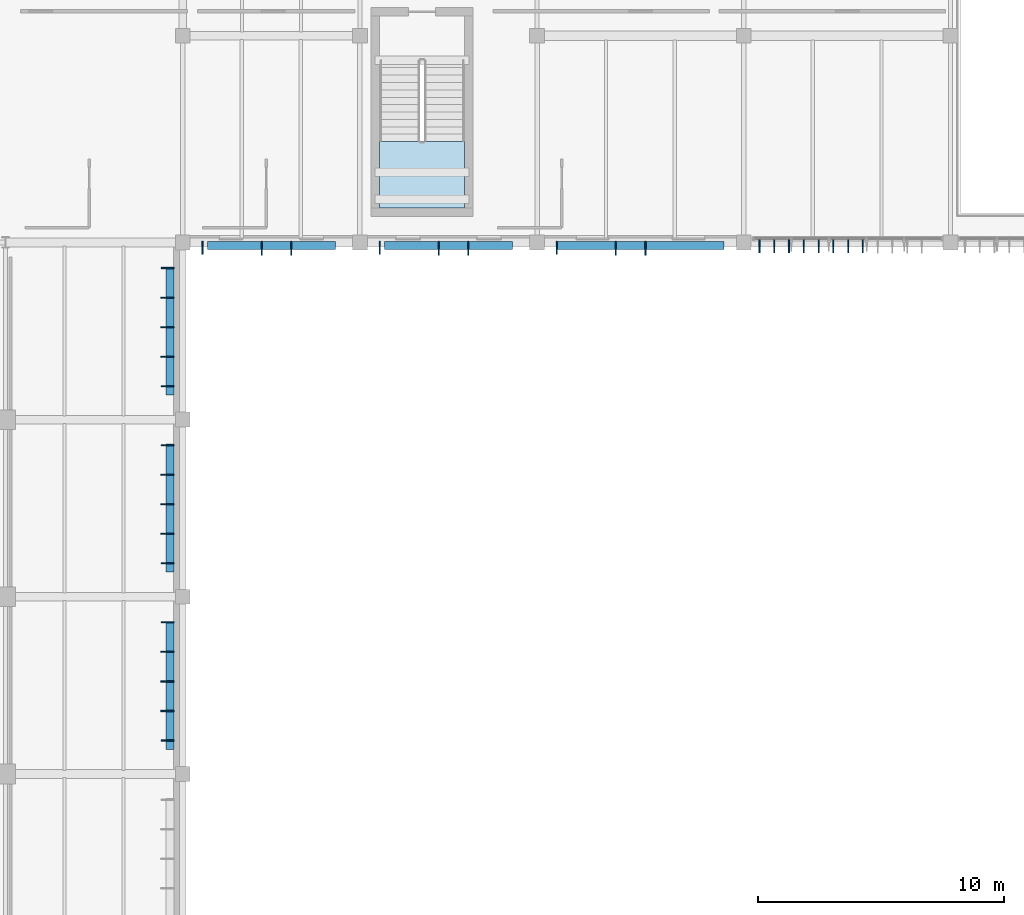
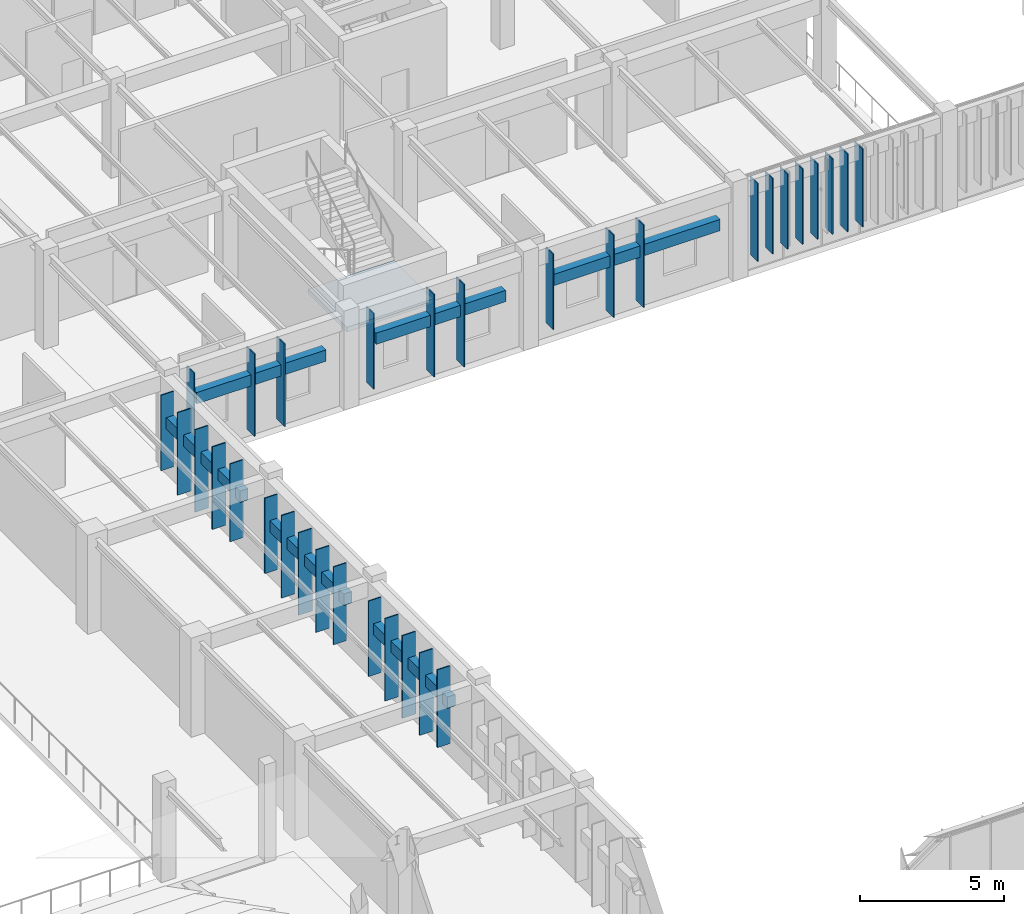
# One storey, part 27 of 122: 38 plates, 1 slab, 1 element without a shape of its own.
"""IFC4 building model written with IfcOpenShell, lengths in metres."""

import ifcopenshell
import ifcopenshell.guid

model = None  # the IFC model being written
_history = None  # IfcOwnerHistory: only IFC2X3 demands one
_inside = {}  # id of a spatial element -> (the spatial element, [elements in it])
_under = {}  # id of a project, library or spatial element -> (it, [spatial elements below it])
_declared = {}  # id of a project -> (the project, [libraries it declares])
_typed = {}  # id of a type object -> (the type object, [elements of that type])
_made_of = {}  # id of a material, layer set ... -> (it, [elements and type objects made of it])


def new_model(schema):
    """Start an empty IFC model of exactly this schema.

    Asked for "IFC4X3", IfcOpenShell would pick the latest addendum, in which some entities
    have other attributes; the version numbers below select the first issue.
    IFC2X3 requires an IfcOwnerHistory on every rooted entity: one is made here for all.
    """
    global model, _history
    if schema == "IFC4X3":
        model = ifcopenshell.file(schema_version=(4, 3, 0, 0))
    else:
        model = ifcopenshell.file(schema=schema)
    _inside.clear()
    _under.clear()
    _declared.clear()
    _typed.clear()
    _made_of.clear()
    _history = None
    if model.schema == "IFC2X3":
        org = make("IfcOrganization", Name="unknown")
        user = make(
            "IfcPersonAndOrganization",
            ThePerson=make("IfcPerson", FamilyName="unknown"),
            TheOrganization=org,
        )
        app = make(
            "IfcApplication",
            ApplicationDeveloper=org,
            Version="unknown",
            ApplicationFullName="unknown",
            ApplicationIdentifier="unknown",
        )
        _history = make(
            "IfcOwnerHistory",
            OwningUser=user,
            OwningApplication=app,
            ChangeAction="ADDED",
            CreationDate=0,
        )
    return model


def make(cls, **values):
    """One entity of the class cls with the attributes given. An attribute that is None is left unset."""
    return model.create_entity(
        cls, **{name: value for name, value in values.items() if value is not None}
    )


def rooted(cls, **values):
    """An entity with a GlobalId (a new one), such as an element, a storey or a relation."""
    return make(cls, GlobalId=ifcopenshell.guid.new(), OwnerHistory=_history, **values)


def si_unit(unit_type, name, prefix=None):
    """IfcSIUnit, for example si_unit("LENGTHUNIT", "METRE", prefix="MILLI")."""
    return make("IfcSIUnit", UnitType=unit_type, Prefix=prefix, Name=name)


def assignment(units):
    """IfcUnitAssignment: the units of a project."""
    return None if units is None else make("IfcUnitAssignment", Units=units)


def point(xyz):
    """IfcCartesianPoint."""
    return None if xyz is None else make("IfcCartesianPoint", Coordinates=xyz)


def direction(xyz):
    """IfcDirection."""
    return None if xyz is None else make("IfcDirection", DirectionRatios=xyz)


def frame(location, z_axis=None, x_axis=None):
    """IfcAxis2Placement3D, a coordinate frame: its origin and axes. An axis left out is left unset."""
    return make(
        "IfcAxis2Placement3D",
        Location=point(location),
        Axis=direction(z_axis),
        RefDirection=direction(x_axis),
    )


def frame_2d(location, x_axis=None):
    """IfcAxis2Placement2D, a coordinate frame in the plane: its origin and x axis."""
    return make(
        "IfcAxis2Placement2D", Location=point(location), RefDirection=direction(x_axis)
    )


def origin():
    """The frame at (0, 0, 0) with its axes left unset."""
    return frame((0.0, 0.0, 0.0))


def origin_2d():
    """The frame at (0, 0) in the plane with its x axis left unset."""
    return frame_2d((0.0, 0.0))


def place(relative_to, where):
    """IfcLocalPlacement: puts the frame where relative to a parent placement (None: the world)."""
    return make(
        "IfcLocalPlacement", PlacementRelTo=relative_to, RelativePlacement=where
    )


def context(
    kind, dimensions, precision=None, world=None, true_north=None, identifier=None
):
    """IfcGeometricRepresentationContext, for example the 3D "Model" context."""
    return make(
        "IfcGeometricRepresentationContext",
        ContextIdentifier=identifier,
        ContextType=kind,
        CoordinateSpaceDimension=dimensions,
        Precision=precision,
        WorldCoordinateSystem=world,
        TrueNorth=true_north,
    )


def subcontext(parent, identifier, kind, view, scale=None):
    """IfcGeometricRepresentationSubContext, for example "Body" below "Model"."""
    return make(
        "IfcGeometricRepresentationSubContext",
        ContextIdentifier=identifier,
        ContextType=kind,
        ParentContext=parent,
        TargetScale=scale,
        TargetView=view,
    )


def project(units=None, contexts=None):
    """IfcProject with its units and contexts."""
    return rooted(
        "IfcProject",
        Name="project",
        RepresentationContexts=contexts,
        UnitsInContext=assignment(units),
    )


def spatial(cls, under=None, at=None, **own):
    """A site, building, storey or space (cls), placed at a placement, below another one or the project."""
    s = rooted(cls, ObjectPlacement=at, **own)
    if under is not None:
        _under.setdefault(under.id(), (under, []))[1].append(s)
    return s


def polyline(points):
    """IfcPolyline through the points."""
    return make("IfcPolyline", Points=[point(p) for p in points])


def profile(cls, at=None, kind="AREA", **sizes):
    """A parametric profile (cls). Its sizes go by their IFC names, for example OverallWidth=200.0."""
    return make(cls, ProfileType=kind, Position=at, **sizes)


def rectangle(**sizes):
    """IfcRectangleProfileDef."""
    return profile("IfcRectangleProfileDef", **sizes)


def outline(outer, holes=None, kind="AREA"):
    """IfcArbitraryClosedProfileDef: a profile drawn as a closed curve; with holes, ...WithVoids."""
    if holes is None:
        return make("IfcArbitraryClosedProfileDef", ProfileType=kind, OuterCurve=outer)
    return make(
        "IfcArbitraryProfileDefWithVoids",
        ProfileType=kind,
        OuterCurve=outer,
        InnerCurves=holes,
    )


def extrude(swept, where, along, depth):
    """IfcExtrudedAreaSolid: the profile swept, set in the frame where, extruded along a direction by depth."""
    return make(
        "IfcExtrudedAreaSolid",
        SweptArea=swept,
        Position=where,
        ExtrudedDirection=direction(along),
        Depth=depth,
    )


def shape(context_of_items, identifier, shape_type, items):
    """IfcShapeRepresentation: the items that make up one representation, for example the "Body"."""
    return make(
        "IfcShapeRepresentation",
        ContextOfItems=context_of_items,
        RepresentationIdentifier=identifier,
        RepresentationType=shape_type,
        Items=items,
    )


def material(Name=None, Category=None):
    """IfcMaterial."""
    return make("IfcMaterial", Name=Name, Category=Category)


def layer(
    of_material, thickness, ventilated=None, Name=None, Category=None, Priority=None
):
    """IfcMaterialLayer: one layer of a wall or slab, of a material (None: an air gap)."""
    return make(
        "IfcMaterialLayer",
        Material=of_material,
        LayerThickness=thickness,
        IsVentilated=ventilated,
        Name=Name,
        Category=Category,
        Priority=Priority,
    )


def layer_set(layers, Name=None):
    """IfcMaterialLayerSet."""
    return make("IfcMaterialLayerSet", MaterialLayers=layers, LayerSetName=Name)


def made_of(thing, what):
    """Note that an element or type object is made of a material, layer set ...; save() writes the relation."""
    if what is not None:
        _made_of.setdefault(what.id(), (what, []))[1].append(thing)
    return thing


def type_object(cls, material=None, **own):
    """A type object (cls), such as IfcWallType, which elements share."""
    return made_of(rooted(cls, **own), material)


def element(
    cls,
    number,
    at=None,
    inside=None,
    cuts=None,
    type_object=None,
    material=None,
    context=None,
    identifier="Body",
    shape_type=None,
    held_by="IfcProductDefinitionShape",
    body=None,
    shapes=None,
    **own,
):
    """One element of the class cls, such as IfcWall. Its Tag is "e" and its number.

    at: its placement. inside: the storey or other place that contains it. cuts: it is an
    opening in that element (IfcRelVoidsElement). A single representation is given by context,
    identifier, shape_type and body (its items); several are given by shapes. held_by: the class
    of the entity that holds the representations. save() writes the other relations.
    """
    e = rooted(cls, Tag="e%d" % number, ObjectPlacement=at, **own)
    if body is not None:
        shapes = [shape(context, identifier, shape_type, body)]
    if shapes is not None:
        e.Representation = make(held_by, Representations=shapes)
    if inside is not None:
        _inside.setdefault(inside.id(), (inside, []))[1].append(e)
    if cuts is not None:
        rooted(
            "IfcRelVoidsElement", RelatingBuildingElement=cuts, RelatedOpeningElement=e
        )
    if type_object is not None:
        _typed.setdefault(type_object.id(), (type_object, []))[1].append(e)
    return made_of(e, material)


def aggregate(whole, parts):
    """IfcRelAggregates: a whole, such as a stair, and the parts it consists of."""
    return rooted("IfcRelAggregates", RelatingObject=whole, RelatedObjects=parts)


def save(model, path):
    """Write the relations noted so far, then the file.

    IfcRelAggregates (storeys below a building ...), IfcRelContainedInSpatialStructure (elements
    in a storey), IfcRelDefinesByType, IfcRelAssociatesMaterial and IfcRelDeclares: one each for
    every whole, place, type object, material and project.
    """
    for whole, parts in _under.values():
        aggregate(whole, parts)
    for where, things in _inside.values():
        rooted(
            "IfcRelContainedInSpatialStructure",
            RelatedElements=things,
            RelatingStructure=where,
        )
    for kind, things in _typed.values():
        rooted("IfcRelDefinesByType", RelatedObjects=things, RelatingType=kind)
    for what, things in _made_of.values():
        rooted("IfcRelAssociatesMaterial", RelatedObjects=things, RelatingMaterial=what)
    for by, libraries in _declared.values():
        rooted("IfcRelDeclares", RelatingContext=by, RelatedDefinitions=libraries)
    model.write(path)


model = new_model("IFC4")

# Units and contexts
model_context = context("Model", 3, precision=1e-05, world=origin(), true_north=direction((0.0, 1.0)))
body_context = subcontext(model_context, "Body", "Model", "MODEL_VIEW")
ifc_project = project(units=[si_unit("LENGTHUNIT", "METRE"), si_unit("AREAUNIT", "SQUARE_METRE"), si_unit("VOLUMEUNIT", "CUBIC_METRE"), si_unit("PLANEANGLEUNIT", "RADIAN"), si_unit("MASSUNIT", "GRAM", prefix="KILO")], contexts=[model_context])

# Site, building, storey
site_placement = place(None, origin())
site = spatial("IfcSite", under=ifc_project, at=site_placement, CompositionType="ELEMENT")
building_placement = place(site_placement, origin())
building = spatial("IfcBuilding", under=site, at=building_placement, Name="Tazoul Stagehouse", CompositionType="ELEMENT")
storey_placement = place(building_placement, frame((0.0, 0.0, 4.800048828125)))
storey = spatial("IfcBuildingStorey", under=building, at=storey_placement, Name="L01", CompositionType="ELEMENT", Elevation=4.800048828125)

# Stair, slab
ifc_material_1 = material(Name="Concrete C40/50", Category="concrete")
stair_type = type_object("IfcStairType", Name="Protected Core Dogleg Stair 4800", PredefinedType="HALF_TURN_STAIR", material=ifc_material_1)
stair_placement = place(storey_placement, origin())
stair = element("IfcStair", 1, at=stair_placement, inside=storey, type_object=stair_type, Name="L01 Core Escape Stair ST-04", PredefinedType="HALF_TURN_STAIR")
ifc_layer_1 = layer(ifc_material_1, 0.179931640625, Name="Concrete C40/50")
ifc_layer_set_1 = layer_set([ifc_layer_1], Name="Concrete C40/50")
slab_type = type_object("IfcSlabType", Name="Core Half-Landing Slab 180", PredefinedType="LANDING", material=ifc_layer_set_1)
slab_placement = place(storey_placement, frame((0.0, 0.0, 1.89990234375)))
slab = element("IfcSlab", 2, at=slab_placement, type_object=slab_type, Name="ST-04 landing 1", PredefinedType="LANDING", context=body_context, shape_type="SweptSolid", body=[
    extrude(outline(polyline([(110.60009765625, 91.89990234375), (110.60009765625, 89.199951171875), (114.050048828125, 89.199951171875), (114.050048828125, 91.89990234375), (110.60009765625, 91.89990234375)])), origin(), (0.0, 0.0, 1.0), 0.199951171875),
])
aggregate(stair, [slab])

# Plates
ifc_material_2 = material(Name="Anodised Bronze Aluminium 6063-T6", Category="aluminium")
ifc_layer_2 = layer(ifc_material_2, 0.52001953125, Name="Anodised Bronze Aluminium 6063-T6")
ifc_layer_set_2 = layer_set([ifc_layer_2], Name="Anodised Bronze Aluminium 6063-T6")
plate_type_1 = type_object("IfcPlateType", Name="Parametric Terracotta-Bronze Solar Fin 520x3200", PredefinedType="USERDEFINED", material=ifc_layer_set_2)
for number, where, z_axis, x_axis, name in (
    (3, (101.989990234375, 86.760009765625, 0.6201171875), (0.0, 0.0, 1.0), (0.0, -1.0, 0.0), "L01 Parametric Solar Fin SFN-18 (WALL-V1-E-L01-S1-B1-01)"),
    (4, (101.989990234375, 79.56005859375, 0.6201171875), (0.0, 0.0, 1.0), (0.0, -1.0, 0.0), "L01 Parametric Solar Fin SFN-18 (WALL-V1-E-L01-S1-B2-01)"),
    (5, (101.989990234375, 72.360107421875, 0.6201171875), (0.0, 0.0, 1.0), (0.0, -1.0, 0.0), "L01 Parametric Solar Fin SFN-18 (WALL-V1-E-L01-S1-B3-01)"),
    (6, (103.405029296875, 87.580078125, 0.6201171875), (0.0, 0.0, 1.0), (1.0, 0.0, 0.0), "L01 Parametric Solar Fin SFN-18 (WALL-V3-S1-L01-S1-01)"),
    (7, (110.60498046875, 87.580078125, 0.6201171875), (0.0, 0.0, 1.0), (1.0, 0.0, 0.0), "L01 Parametric Solar Fin SFN-18 (WALL-V3-S1-L01-S2-01)"),
    (8, (117.804931640625, 87.580078125, 0.6201171875), (0.0, 0.0, 1.0), (1.0, 0.0, 0.0), "L01 Parametric Solar Fin SFN-18 (WALL-V3-S1-L01-S3-01)"),
    (9, (126.639892578125, 87.64990234375, 0.68994140625), (0.0, 0.0, 1.0), (1.0, 0.0, 0.0), "L01 Parametric Solar Fin SFN-18 (CW-V3-S2-L01-B1-02)"),
    (10, (127.239990234375, 87.64990234375, 0.68994140625), (0.0, 0.0, 1.0), (1.0, 0.0, 0.0), "L01 Parametric Solar Fin SFN-18 (CW-V3-S2-L01-B1-03)"),
    (11, (127.840087890625, 87.64990234375, 0.68994140625), (0.0, 0.0, 1.0), (1.0, 0.0, 0.0), "L01 Parametric Solar Fin SFN-18 (CW-V3-S2-L01-B1-04)"),
    (12, (128.43994140625, 87.64990234375, 0.68994140625), (0.0, 0.0, 1.0), (1.0, 0.0, 0.0), "L01 Parametric Solar Fin SFN-18 (CW-V3-S2-L01-B1-05)"),
    (13, (129.0400390625, 87.64990234375, 0.68994140625), (0.0, 0.0, 1.0), (1.0, 0.0, 0.0), "L01 Parametric Solar Fin SFN-18 (CW-V3-S2-L01-B1-06)"),
):
    element("IfcPlate", number, at=place(storey_placement, frame(where, z_axis=z_axis, x_axis=x_axis)), inside=storey, type_object=plate_type_1, Name=name, ObjectType="SOLAR FIN", PredefinedType="USERDEFINED", context=body_context, shape_type="SweptSolid", body=[
        extrude(rectangle(XDim=0.044921875, YDim=0.52001953125, at=origin_2d()), origin(), (0.0, 0.0, 1.0), 3.199951171875),
    ])
ifc_layer_3 = layer(ifc_material_2, 0.530029296875, Name="Anodised Bronze Aluminium 6063-T6")
ifc_layer_set_3 = layer_set([ifc_layer_3], Name="Anodised Bronze Aluminium 6063-T6")
plate_type_2 = type_object("IfcPlateType", Name="Parametric Terracotta-Bronze Solar Fin 530x3300", PredefinedType="USERDEFINED", material=ifc_layer_set_3)
for number, where, z_axis, x_axis, name in (
    (14, (101.985107421875, 81.9599609375, 0.52001953125), (0.0, 0.0, 1.0), (0.0, -1.0, 0.0), "L01 Parametric Solar Fin SFN-19 (WALL-V1-E-L01-S1-B1-05)"),
    (15, (101.985107421875, 74.760009765625, 0.52001953125), (0.0, 0.0, 1.0), (0.0, -1.0, 0.0), "L01 Parametric Solar Fin SFN-19 (WALL-V1-E-L01-S1-B2-05)"),
    (16, (101.985107421875, 67.56005859375, 0.52001953125), (0.0, 0.0, 1.0), (0.0, -1.0, 0.0), "L01 Parametric Solar Fin SFN-19 (WALL-V1-E-L01-S1-B3-05)"),
    (17, (126.0400390625, 87.64501953125, 0.58984375), (0.0, 0.0, 1.0), (1.0, 0.0, 0.0), "L01 Parametric Solar Fin SFN-19 (CW-V3-S2-L01-B1-01)"),
    (18, (129.639892578125, 87.64501953125, 0.58984375), (0.0, 0.0, 1.0), (1.0, 0.0, 0.0), "L01 Parametric Solar Fin SFN-19 (CW-V3-S2-L01-B1-07)"),
    (19, (130.239990234375, 87.64501953125, 0.58984375), (0.0, 0.0, 1.0), (1.0, 0.0, 0.0), "L01 Parametric Solar Fin SFN-19 (CW-V3-S2-L01-B1-08)"),
):
    element("IfcPlate", number, at=place(storey_placement, frame(where, z_axis=z_axis, x_axis=x_axis)), inside=storey, type_object=plate_type_2, Name=name, ObjectType="SOLAR FIN", PredefinedType="USERDEFINED", context=body_context, shape_type="SweptSolid", body=[
        extrude(rectangle(XDim=0.044921875, YDim=0.530029296875, at=origin_2d()), origin(), (0.0, 0.0, 1.0), 3.300048828125),
    ])
ifc_layer_4 = layer(ifc_material_2, 0.550048828125, Name="Anodised Bronze Aluminium 6063-T6")
ifc_layer_set_4 = layer_set([ifc_layer_4], Name="Anodised Bronze Aluminium 6063-T6")
plate_type_3 = type_object("IfcPlateType", Name="Parametric Terracotta-Bronze Solar Fin 550x3500", PredefinedType="USERDEFINED", material=ifc_layer_set_4)
for number, where, z_axis, x_axis, name in (
    (20, (101.97509765625, 85.56005859375, 0.320068359375), (0.0, 0.0, 1.0), (0.0, -1.0, 0.0), "L01 Parametric Solar Fin SFN-21 (WALL-V1-E-L01-S1-B1-02)"),
    (21, (101.97509765625, 84.360107421875, 0.320068359375), (0.0, 0.0, 1.0), (0.0, -1.0, 0.0), "L01 Parametric Solar Fin SFN-21 (WALL-V1-E-L01-S1-B1-03)"),
    (22, (101.97509765625, 83.159912109375, 0.320068359375), (0.0, 0.0, 1.0), (0.0, -1.0, 0.0), "L01 Parametric Solar Fin SFN-21 (WALL-V1-E-L01-S1-B1-04)"),
    (23, (101.97509765625, 78.360107421875, 0.320068359375), (0.0, 0.0, 1.0), (0.0, -1.0, 0.0), "L01 Parametric Solar Fin SFN-21 (WALL-V1-E-L01-S1-B2-02)"),
    (24, (101.97509765625, 77.159912109375, 0.320068359375), (0.0, 0.0, 1.0), (0.0, -1.0, 0.0), "L01 Parametric Solar Fin SFN-21 (WALL-V1-E-L01-S1-B2-03)"),
    (25, (101.97509765625, 75.9599609375, 0.320068359375), (0.0, 0.0, 1.0), (0.0, -1.0, 0.0), "L01 Parametric Solar Fin SFN-21 (WALL-V1-E-L01-S1-B2-04)"),
    (26, (101.97509765625, 71.159912109375, 0.320068359375), (0.0, 0.0, 1.0), (0.0, -1.0, 0.0), "L01 Parametric Solar Fin SFN-21 (WALL-V1-E-L01-S1-B3-02)"),
    (27, (101.97509765625, 69.9599609375, 0.320068359375), (0.0, 0.0, 1.0), (0.0, -1.0, 0.0), "L01 Parametric Solar Fin SFN-21 (WALL-V1-E-L01-S1-B3-03)"),
    (28, (101.97509765625, 68.760009765625, 0.320068359375), (0.0, 0.0, 1.0), (0.0, -1.0, 0.0), "L01 Parametric Solar Fin SFN-21 (WALL-V1-E-L01-S1-B3-04)"),
    (29, (105.804931640625, 87.56494140625, 0.320068359375), (0.0, 0.0, 1.0), (1.0, 0.0, 0.0), "L01 Parametric Solar Fin SFN-21 (WALL-V3-S1-L01-S1-03)"),
    (30, (107.0048828125, 87.56494140625, 0.320068359375), (0.0, 0.0, 1.0), (1.0, 0.0, 0.0), "L01 Parametric Solar Fin SFN-21 (WALL-V3-S1-L01-S1-04)"),
    (31, (113.0048828125, 87.56494140625, 0.320068359375), (0.0, 0.0, 1.0), (1.0, 0.0, 0.0), "L01 Parametric Solar Fin SFN-21 (WALL-V3-S1-L01-S2-03)"),
    (32, (114.205078125, 87.56494140625, 0.320068359375), (0.0, 0.0, 1.0), (1.0, 0.0, 0.0), "L01 Parametric Solar Fin SFN-21 (WALL-V3-S1-L01-S2-04)"),
    (33, (120.205078125, 87.56494140625, 0.320068359375), (0.0, 0.0, 1.0), (1.0, 0.0, 0.0), "L01 Parametric Solar Fin SFN-21 (WALL-V3-S1-L01-S3-03)"),
    (34, (121.405029296875, 87.56494140625, 0.320068359375), (0.0, 0.0, 1.0), (1.0, 0.0, 0.0), "L01 Parametric Solar Fin SFN-21 (WALL-V3-S1-L01-S3-04)"),
):
    element("IfcPlate", number, at=place(storey_placement, frame(where, z_axis=z_axis, x_axis=x_axis)), inside=storey, type_object=plate_type_3, Name=name, ObjectType="SOLAR FIN", PredefinedType="USERDEFINED", context=body_context, shape_type="SweptSolid", body=[
        extrude(rectangle(XDim=0.044921875, YDim=0.550048828125, at=origin_2d()), origin(), (0.0, 0.0, 1.0), 3.5),
    ])
ifc_layer_5 = layer(ifc_material_2, 0.320068359375, Name="Anodised Bronze Aluminium 6063-T6")
ifc_layer_set_5 = layer_set([ifc_layer_5], Name="Anodised Bronze Aluminium 6063-T6")
plate_type_4 = type_object("IfcPlateType", Name="Sculpted Facade Spandrel Ribbon 5200x480", PredefinedType="USERDEFINED", material=ifc_layer_set_5)
for number, where, z_axis, x_axis, name in (
    (35, (102.090087890625, 84.199951171875, 2.321044921875), (0.0, 0.0, 1.0), (0.0, -1.0, 0.0), "L01 Sculpted Facade Spandrel Ribbon FRB-07 (WALL-V1-E-L01-S1-B1)"),
    (36, (102.090087890625, 77.0, 2.321044921875), (0.0, 0.0, 1.0), (0.0, -1.0, 0.0), "L01 Sculpted Facade Spandrel Ribbon FRB-07 (WALL-V1-E-L01-S1-B2)"),
    (37, (102.090087890625, 69.800048828125, 2.321044921875), (0.0, 0.0, 1.0), (0.0, -1.0, 0.0), "L01 Sculpted Facade Spandrel Ribbon FRB-07 (WALL-V1-E-L01-S1-B3)"),
    (38, (106.199951171875, 87.679931640625, 2.321044921875), (0.0, 0.0, 1.0), (1.0, 0.0, 0.0), "L01 Sculpted Facade Spandrel Ribbon FRB-07 (WALL-V3-S1-L01-S1)"),
    (39, (113.39990234375, 87.679931640625, 2.321044921875), (0.0, 0.0, 1.0), (1.0, 0.0, 0.0), "L01 Sculpted Facade Spandrel Ribbon FRB-07 (WALL-V3-S1-L01-S2)"),
):
    element("IfcPlate", number, at=place(storey_placement, frame(where, z_axis=z_axis, x_axis=x_axis)), inside=storey, type_object=plate_type_4, Name=name, ObjectType="FACADE RIBBON", PredefinedType="USERDEFINED", context=body_context, shape_type="SweptSolid", body=[
        extrude(rectangle(XDim=5.199951171875, YDim=0.320068359375, at=origin_2d()), origin(), (0.0, 0.0, 1.0), 0.47998046875),
    ])
ifc_layer_6 = layer(ifc_material_2, 0.320068359375, Name="Anodised Bronze Aluminium 6063-T6")
ifc_layer_set_6 = layer_set([ifc_layer_6], Name="Anodised Bronze Aluminium 6063-T6")
plate_type_5 = type_object("IfcPlateType", Name="Sculpted Facade Spandrel Ribbon 6800x480", PredefinedType="USERDEFINED", material=ifc_layer_set_6)
plate_placement = place(storey_placement, frame((121.199951171875, 87.679931640625, 2.321044921875), z_axis=(0.0, 0.0, 1.0), x_axis=(1.0, 0.0, 0.0)))
element("IfcPlate", 40, at=plate_placement, inside=storey, type_object=plate_type_5, Name="L01 Sculpted Facade Spandrel Ribbon FRB-10 (WALL-V3-S1-L01-S3)", ObjectType="FACADE RIBBON", PredefinedType="USERDEFINED", context=body_context, shape_type="SweptSolid", body=[
    extrude(rectangle(XDim=6.800048828125, YDim=0.320068359375, at=origin_2d()), origin(), (0.0, 0.0, 1.0), 0.47998046875),
])

save(model, "model.ifc")
